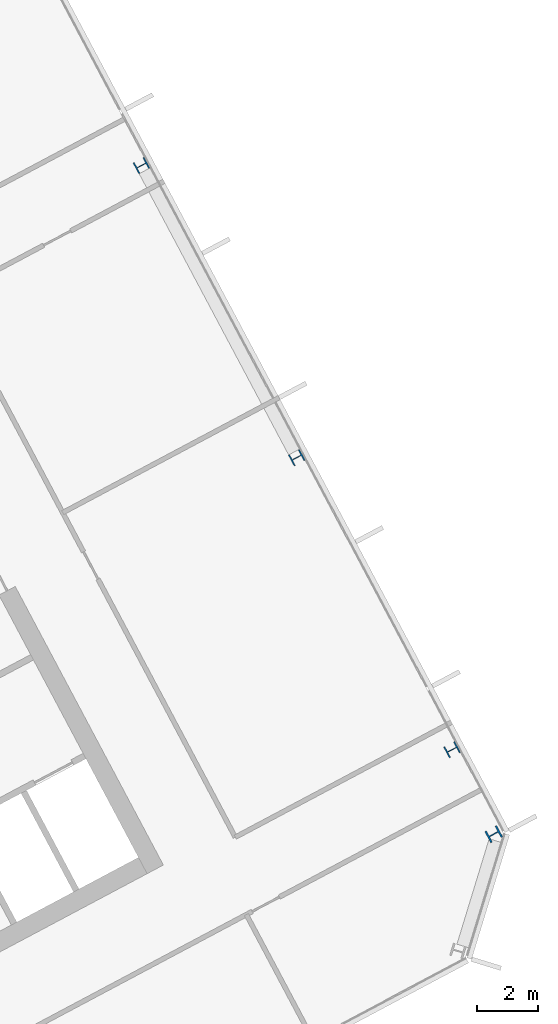
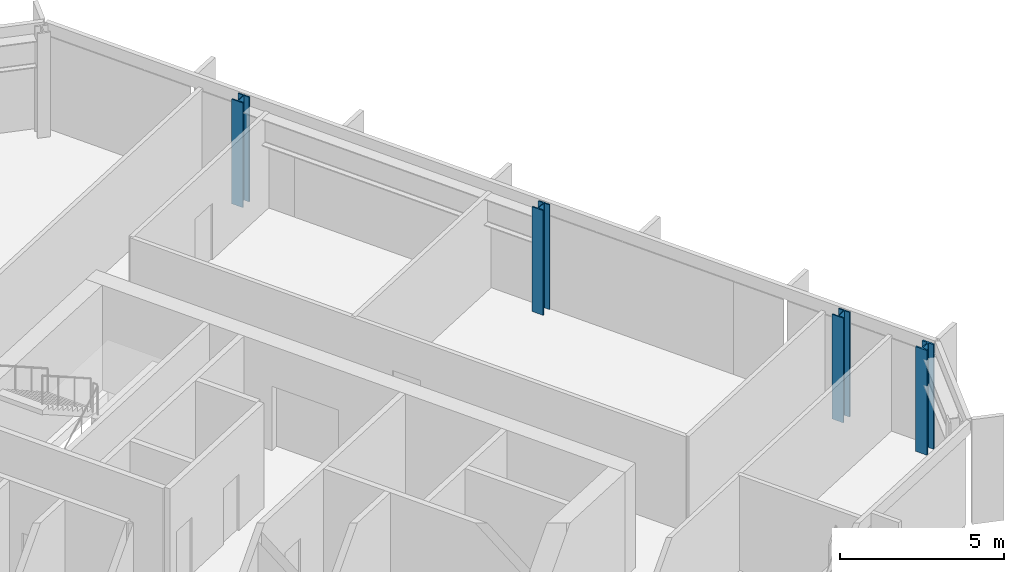
# One storey, part 7 of 26: 4 columns.
"""IFC4 building model written with IfcOpenShell, lengths in metres."""

from ifc_helpers import new_model, si_unit, direction, frame, origin, origin_2d, place, context, subcontext, project, spatial, i_section, extrude, material, material_profile, profile_set, type_object, element, save


model = new_model("IFC4")

# Units and contexts
model_context = context("Model", 3, precision=1e-05, world=origin(), true_north=direction((0.0, 1.0)))
body_context = subcontext(model_context, "Body", "Model", "MODEL_VIEW")
ifc_project = project(units=[si_unit("LENGTHUNIT", "METRE"), si_unit("AREAUNIT", "SQUARE_METRE"), si_unit("VOLUMEUNIT", "CUBIC_METRE"), si_unit("PLANEANGLEUNIT", "RADIAN"), si_unit("MASSUNIT", "GRAM", prefix="KILO")], contexts=[model_context])

# Site, building, storey
site_placement = place(None, origin())
site = spatial("IfcSite", under=ifc_project, at=site_placement, CompositionType="ELEMENT")
building_placement = place(site_placement, origin())
building = spatial("IfcBuilding", under=site, at=building_placement, Name="Cormorant Relay Tower", CompositionType="ELEMENT")
storey_placement = place(building_placement, frame((0.0, 0.0, 244.199951171875)))
storey = spatial("IfcBuildingStorey", under=building, at=storey_placement, Name="L54", CompositionType="ELEMENT", Elevation=244.199951171875)

# Columns
ifc_material_1 = material(Name="Steel ASTM A992 (Fy 345 MPa)", Category="steel")
ifc_material_profile_1 = material_profile(ifc_material_1, i_section(OverallWidth=0.40380859375, OverallDepth=0.406494140625, WebThickness=0.027099609375, FlangeThickness=0.043701171875, FilletRadius=0.01513671875, at=origin_2d()), Name="W360x347")
ifc_profile_set_1 = profile_set([ifc_material_profile_1], Name="Steel ASTM A992 (Fy 345 MPa)")
column_type_1 = type_object("IfcColumnType", Name="Column W360x347", PredefinedType="COLUMN", material=ifc_profile_set_1)
for number, where, z_axis, x_axis, name in (
    (1, (47.26611328125, 12.89990234375, 0.0), (0.0, 0.0, 1.0), (-0.469471562786, 0.882947592859, 0.0), "Column L54-026"),
    (2, (42.196044921875, 22.43603515625, 0.0), (0.0, 0.0, 1.0), (-0.469471562786, 0.882947592859, 0.0), "Column L54-029"),
    (3, (37.1259765625, 31.971923828125, 0.0), (0.0, 0.0, 1.0), (-0.469471562786, 0.882947592859, 0.0), "Column L54-036"),
):
    element("IfcColumn", number, at=place(storey_placement, frame(where, z_axis=z_axis, x_axis=x_axis)), inside=storey, type_object=column_type_1, Name=name, PredefinedType="COLUMN", context=body_context, shape_type="SweptSolid", body=[
        extrude(i_section(OverallWidth=0.40380859375, OverallDepth=0.406494140625, WebThickness=0.027099609375, FlangeThickness=0.043701171875, FilletRadius=0.01513671875, at=origin_2d()), origin(), (0.0, 0.0, 1.0), 3.900146484375),
    ])
ifc_material_2 = material(Name="Steel ASTM A992 (Fy 345 MPa)", Category="steel")
ifc_material_profile_2 = material_profile(ifc_material_2, i_section(OverallWidth=0.41162109375, OverallDepth=0.434326171875, WebThickness=0.035888671875, FlangeThickness=0.057373046875, FilletRadius=0.01513671875, at=origin_2d()), Name="W360x463")
ifc_profile_set_2 = profile_set([ifc_material_profile_2], Name="Steel ASTM A992 (Fy 345 MPa)")
column_type_2 = type_object("IfcColumnType", Name="Column W360x463", PredefinedType="COLUMN", material=ifc_profile_set_2)
column_placement = place(storey_placement, frame((48.6259765625, 10.14208984375, 0.0), z_axis=(0.0, 0.0, 1.0), x_axis=(-0.469471562786, 0.882947592859, 0.0)))
element("IfcColumn", 4, at=column_placement, inside=storey, type_object=column_type_2, Name="Column L54-021", PredefinedType="COLUMN", context=body_context, shape_type="SweptSolid", body=[
    extrude(i_section(OverallWidth=0.41162109375, OverallDepth=0.434326171875, WebThickness=0.035888671875, FlangeThickness=0.057373046875, FilletRadius=0.01513671875, at=origin_2d()), origin(), (0.0, 0.0, 1.0), 3.900146484375),
])

save(model, "model.ifc")
